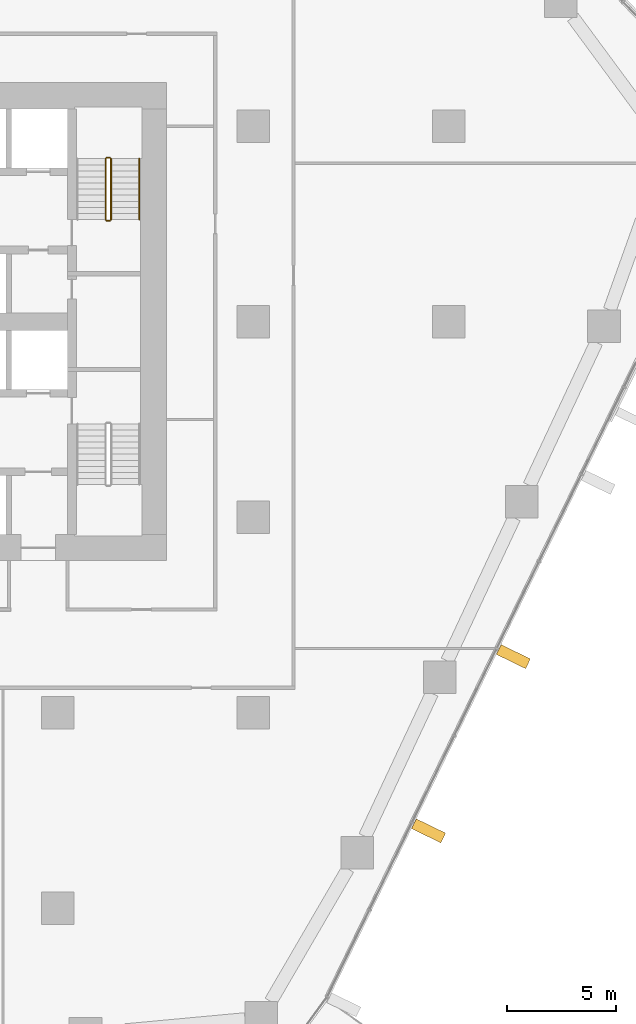
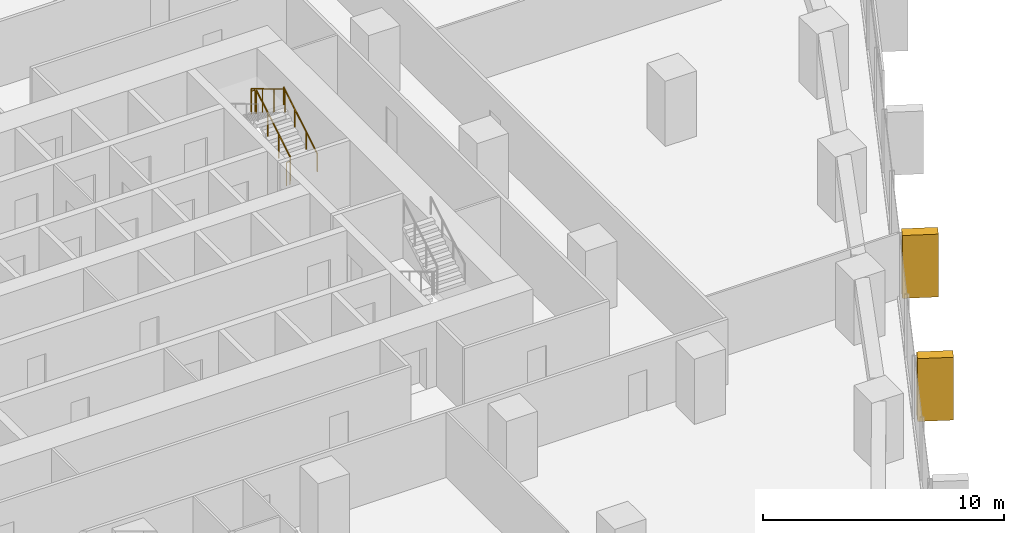
# One storey, part 24 of 25: 5 railings, 2 coverings, 1 element without a shape of its own.
"""IFC4 building model written with IfcOpenShell, lengths in metres."""

from ifc_helpers import new_model, si_unit, direction, frame, origin, origin_2d, place, context, subcontext, project, spatial, rectangle, circle, extrude, material, layer, layer_set, material_profile, profile_set, type_object, element, aggregate, save


model = new_model("IFC4")

# Units and contexts
model_context = context("Model", 3, precision=1e-05, world=origin(), true_north=direction((0.0, 1.0)))
body_context = subcontext(model_context, "Body", "Model", "MODEL_VIEW")
ifc_project = project(units=[si_unit("LENGTHUNIT", "METRE"), si_unit("AREAUNIT", "SQUARE_METRE"), si_unit("VOLUMEUNIT", "CUBIC_METRE"), si_unit("PLANEANGLEUNIT", "RADIAN"), si_unit("MASSUNIT", "GRAM", prefix="KILO")], contexts=[model_context])

# Site, building, storey
site_placement = place(None, origin())
site = spatial("IfcSite", under=ifc_project, at=site_placement, CompositionType="ELEMENT")
building_placement = place(site_placement, origin())
building = spatial("IfcBuilding", under=site, at=building_placement, Name="Dongbaek Canopy Tower", CompositionType="ELEMENT")
storey_placement = place(building_placement, frame((0.0, 0.0, 77.300048828125)))
storey = spatial("IfcBuildingStorey", under=building, at=storey_placement, Name="L15", CompositionType="ELEMENT", Elevation=77.300048828125)

# Curtain wall, coverings
ifc_material_1 = material(Name="Aluminium 6063-T6 pale anodised", Category="aluminium")
ifc_layer = layer(ifc_material_1, 0.199951171875)
ifc_layer_set = layer_set([ifc_layer], Name="CW-1 unitised tower curtain wall")
curtain_wall_type = type_object("IfcCurtainWallType", Name="CW-1 unitised tower curtain wall", PredefinedType="NOTDEFINED", material=ifc_layer_set)
curtain_wall_placement = place(storey_placement, origin())
curtain_wall = element("IfcCurtainWall", 1, at=curtain_wall_placement, inside=storey, type_object=curtain_wall_type, Name="CW-1 curtain wall F5.1", PredefinedType="NOTDEFINED")
ifc_material_2 = material(Name="Aluminium 6063-T6 pale metal fin", Category="aluminium")
ifc_material_profile = material_profile(ifc_material_2, rectangle(XDim=1.5, YDim=0.5, at=origin_2d()), Name="Fin FN1 500 x 1500 pale metal")
ifc_profile_set = profile_set([ifc_material_profile], Name="Aluminium 6063-T6 pale metal fin")
covering_type = type_object("IfcCoveringType", Name="Fin FN1 500 x 1500 pale metal", PredefinedType="CLADDING", material=ifc_profile_set)
covering_1_placement = place(storey_placement, frame((26.06689453125, -23.439453125, 0.119873046875), z_axis=(0.0, 0.0, 1.0), x_axis=(0.899092424879, -0.437758850882, 0.0)))
covering_1 = element("IfcCovering", 2, at=covering_1_placement, type_object=covering_type, Name="Fin F5.1.3", PredefinedType="CLADDING", context=body_context, shape_type="SweptSolid", body=[
    extrude(rectangle(XDim=1.5, YDim=0.5, at=origin_2d()), origin(), (0.0, 0.0, 1.0), 3.18017578125),
])
covering_2_placement = place(storey_placement, frame((29.971435546875, -15.420166015625, 0.119873046875), z_axis=(0.0, 0.0, 1.0), x_axis=(0.899092424879, -0.437758850882, 0.0)))
covering_2 = element("IfcCovering", 3, at=covering_2_placement, type_object=covering_type, Name="Fin F5.1.5", PredefinedType="CLADDING", context=body_context, shape_type="SweptSolid", body=[
    extrude(rectangle(XDim=1.5, YDim=0.5, at=origin_2d()), origin(), (0.0, 0.0, 1.0), 3.18017578125),
])
aggregate(curtain_wall, [covering_1, covering_2])

# Railings
ifc_material_3 = material(Name="Stainless steel tube and balusters", Category="steel")
railing_type_1 = type_object("IfcRailingType", Name="Stair guard 1200", PredefinedType="GUARDRAIL", material=ifc_material_3)
railing_1_placement = place(storey_placement, frame((11.449951171875, 4.699951171875, 0.168212890625)))
element("IfcRailing", 4, at=railing_1_placement, inside=storey, type_object=railing_type_1, Name="L15 ST-A stair guard 1", PredefinedType="GUARDRAIL", context=body_context, shape_type="SweptSolid", body=[
    extrude(circle(Radius=0.02392578125, at=origin_2d()), frame((0.0, 0.0, 1.17578125), z_axis=(0.0, 0.857275202839, 0.514858452973), x_axis=(-1.0, 0.0, 0.0)), (0.0, 0.0, 1.0), 3.26611328125),
    extrude(circle(Radius=0.02099609375, at=origin_2d()), origin(), (0.0, 0.0, 1.0), 1.15185546875),
    extrude(circle(Radius=0.02099609375, at=origin_2d()), frame((0.0, 0.933349609375, 0.560546875)), (0.0, 0.0, 1.0), 1.15185546875),
    extrude(circle(Radius=0.02099609375, at=origin_2d()), frame((0.0, 1.86669921875, 1.12109375)), (0.0, 0.0, 1.0), 1.15185546875),
    extrude(circle(Radius=0.02099609375, at=origin_2d()), frame((0.0, 2.800048828125, 1.681640625)), (0.0, 0.0, 1.0), 1.15185546875),
])
railing_2_placement = place(storey_placement, frame((11.39990234375, 7.550048828125, 1.849853515625)))
element("IfcRailing", 5, at=railing_2_placement, inside=storey, type_object=railing_type_1, Name="L15 ST-A stair guard 2", PredefinedType="GUARDRAIL", context=body_context, shape_type="SweptSolid", body=[
    extrude(circle(Radius=0.02392578125, at=origin_2d()), frame((0.0, 0.0, 1.17578125), z_axis=(-1.0, 0.0, 0.0), x_axis=(0.0, -1.0, 0.0)), (0.0, 0.0, 1.0), 0.14990234375),
    extrude(circle(Radius=0.02099609375, at=origin_2d()), origin(), (0.0, 0.0, 1.0), 1.15185546875),
    extrude(circle(Radius=0.02099609375, at=origin_2d()), frame((-0.14990234375, 0.0, 0.0)), (0.0, 0.0, 1.0), 1.15185546875),
])
railing_3_placement = place(storey_placement, frame((11.199951171875, 7.5, 2.01806640625)))
element("IfcRailing", 6, at=railing_3_placement, inside=storey, type_object=railing_type_1, Name="L15 ST-A stair guard 3", PredefinedType="GUARDRAIL", context=body_context, shape_type="SweptSolid", body=[
    extrude(circle(Radius=0.02392578125, at=origin_2d()), frame((0.0, 0.0, 1.17578125), z_axis=(0.0, -0.857242210791, 0.514913383045), x_axis=(1.0, 0.0, 0.0)), (0.0, 0.0, 1.0), 3.266357421875),
    extrude(circle(Radius=0.02099609375, at=origin_2d()), origin(), (0.0, 0.0, 1.0), 1.15185546875),
    extrude(circle(Radius=0.02099609375, at=origin_2d()), frame((0.0, -0.933349609375, 0.560546875)), (0.0, 0.0, 1.0), 1.15185546875),
    extrude(circle(Radius=0.02099609375, at=origin_2d()), frame((0.0, -1.86669921875, 1.121337890625)), (0.0, 0.0, 1.0), 1.15185546875),
    extrude(circle(Radius=0.02099609375, at=origin_2d()), frame((0.0, -2.800048828125, 1.681884765625)), (0.0, 0.0, 1.0), 1.15185546875),
])
railing_4_placement = place(storey_placement, frame((11.39990234375, 4.64990234375, 0.0)))
element("IfcRailing", 7, at=railing_4_placement, inside=storey, type_object=railing_type_1, Name="L15 ST-A stair guard 4", PredefinedType="GUARDRAIL", context=body_context, shape_type="SweptSolid", body=[
    extrude(circle(Radius=0.02392578125, at=origin_2d()), frame((0.0, 0.0, 1.17578125), z_axis=(-1.0, 0.0, 0.0), x_axis=(0.0, -1.0, 0.0)), (0.0, 0.0, 1.0), 0.14990234375),
    extrude(circle(Radius=0.02099609375, at=origin_2d()), origin(), (0.0, 0.0, 1.0), 1.15185546875),
    extrude(circle(Radius=0.02099609375, at=origin_2d()), frame((-0.14990234375, 0.0, 0.0)), (0.0, 0.0, 1.0), 1.15185546875),
])
ifc_material_4 = material(Name="Stainless steel tube", Category="steel")
railing_type_2 = type_object("IfcRailingType", Name="Stair handrail 900", PredefinedType="HANDRAIL", material=ifc_material_4)
railing_5_placement = place(storey_placement, frame((12.75, 4.699951171875, 0.168212890625)))
element("IfcRailing", 8, at=railing_5_placement, inside=storey, type_object=railing_type_2, Name="L15 ST-A stair handrail 1", PredefinedType="HANDRAIL", context=body_context, shape_type="SweptSolid", body=[
    extrude(circle(Radius=0.02392578125, at=origin_2d()), frame((0.0, 0.0, 0.8759765625), z_axis=(0.0, 0.857275202839, 0.514858452973), x_axis=(-1.0, 0.0, 0.0)), (0.0, 0.0, 1.0), 3.26611328125),
    extrude(circle(Radius=0.02099609375, at=origin_2d()), origin(), (0.0, 0.0, 1.0), 0.851806640625),
    extrude(circle(Radius=0.02099609375, at=origin_2d()), frame((0.0, 0.933349609375, 0.560546875)), (0.0, 0.0, 1.0), 0.851806640625),
    extrude(circle(Radius=0.02099609375, at=origin_2d()), frame((0.0, 1.86669921875, 1.12109375)), (0.0, 0.0, 1.0), 0.851806640625),
    extrude(circle(Radius=0.02099609375, at=origin_2d()), frame((0.0, 2.800048828125, 1.681640625)), (0.0, 0.0, 1.0), 0.851806640625),
])

save(model, "model.ifc")
